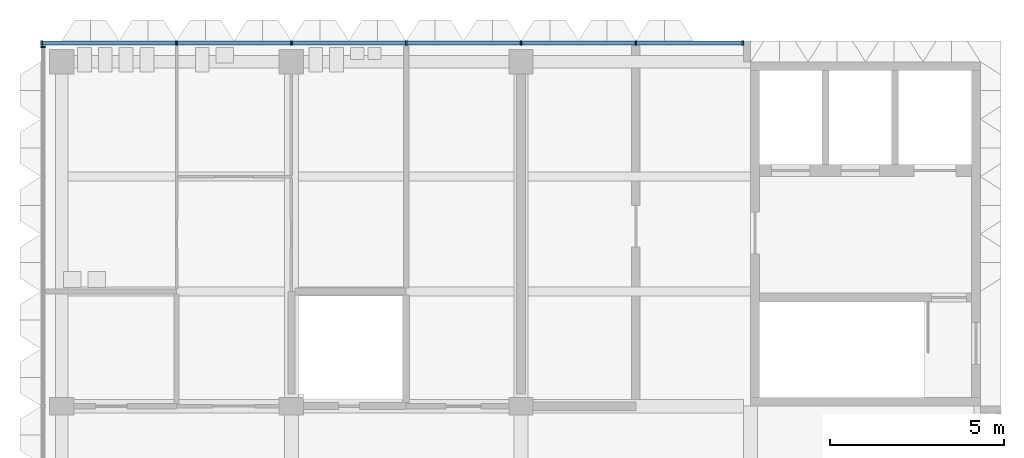
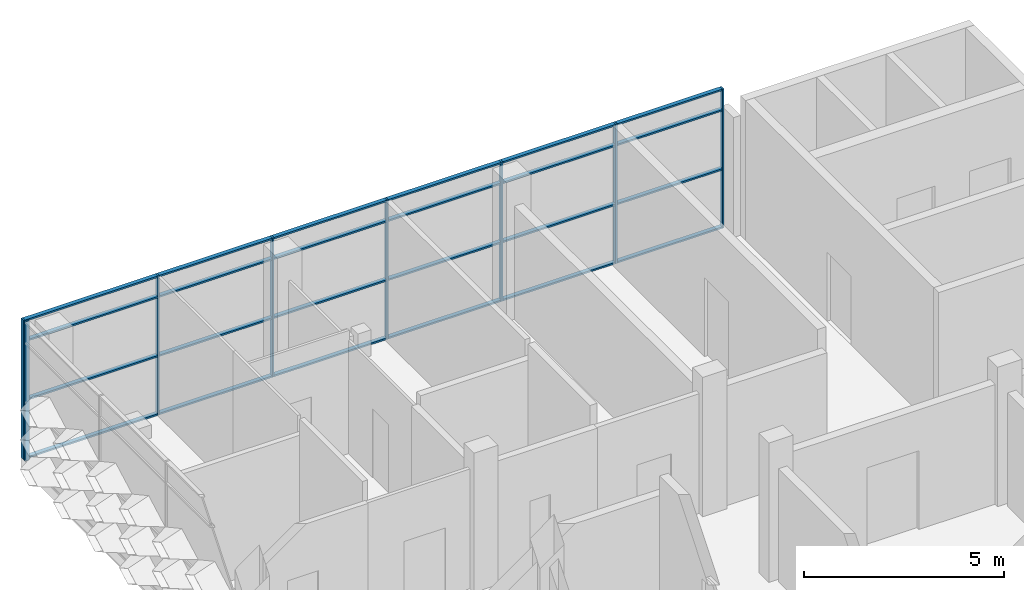
# One storey, part 6 of 21: 32 members, 2 elements without a shape of their own.
"""IFC4 building model written with IfcOpenShell, lengths in metres."""

from ifc_helpers import new_model, si_unit, direction, frame, origin, origin_2d, place, context, subcontext, project, spatial, rectangle, extrude, material, material_profile, profile_set, type_object, element, aggregate, save


model = new_model("IFC4")

# Units and contexts
model_context = context("Model", 3, precision=1e-05, world=origin(), true_north=direction((0.0, 1.0)))
body_context = subcontext(model_context, "Body", "Model", "MODEL_VIEW")
ifc_project = project(units=[si_unit("LENGTHUNIT", "METRE"), si_unit("AREAUNIT", "SQUARE_METRE"), si_unit("VOLUMEUNIT", "CUBIC_METRE"), si_unit("PLANEANGLEUNIT", "RADIAN"), si_unit("MASSUNIT", "GRAM", prefix="KILO")], contexts=[model_context])

# Site, building, storey
site_placement = place(None, origin())
site = spatial("IfcSite", under=ifc_project, at=site_placement, CompositionType="ELEMENT")
building_placement = place(site_placement, origin())
building = spatial("IfcBuilding", under=site, at=building_placement, Name="Lantern Court Research Institute", CompositionType="ELEMENT")
storey_placement = place(building_placement, frame((0.0, 0.0, 41.39990234375)))
storey = spatial("IfcBuildingStorey", under=building, at=storey_placement, Name="L09", CompositionType="ELEMENT", Elevation=41.39990234375)

# Curtain wall, members
ifc_material_1 = material(Name="Aluminium alloy 6063-T6", Category="aluminium")
curtain_wall_type_1 = type_object("IfcCurtainWallType", Name="Curtain wall 20200 x 4250 x 120 aluminium frame", PredefinedType="NOTDEFINED", material=ifc_material_1)
curtain_wall_1_placement = place(storey_placement, origin())
curtain_wall_1 = element("IfcCurtainWall", 1, at=curtain_wall_1_placement, inside=storey, type_object=curtain_wall_type_1, Name="Curtain wall CW090", PredefinedType="NOTDEFINED")
ifc_material_2 = material(Name="Aluminium alloy 6063-T6", Category="aluminium")
ifc_material_profile_1 = material_profile(ifc_material_2, rectangle(XDim=0.1201171875, YDim=0.050048828125, at=origin_2d()), Name="Mullion 120 x 50")
ifc_profile_set_1 = profile_set([ifc_material_profile_1], Name="Aluminium alloy 6063-T6")
member_type_1 = type_object("IfcMemberType", Name="Mullion 120 x 50 aluminium", PredefinedType="MULLION", material=ifc_profile_set_1)
member_1_placement = place(storey_placement, frame((52.22509765625, 23.639892578125, 0.0), z_axis=(0.0, 0.0, 1.0), x_axis=(0.0, 1.0, 0.0)))
member_1 = element("IfcMember", 2, at=member_1_placement, type_object=member_type_1, Name="CW090 mullion 1", PredefinedType="MULLION", context=body_context, shape_type="SweptSolid", body=[
    extrude(rectangle(XDim=0.1201171875, YDim=0.050048828125, at=origin_2d()), origin(), (0.0, 0.0, 1.0), 4.25),
])
member_2_placement = place(storey_placement, frame((56.10009765625, 23.639892578125, 0.0), z_axis=(0.0, 0.0, 1.0), x_axis=(0.0, 1.0, 0.0)))
member_2 = element("IfcMember", 3, at=member_2_placement, type_object=member_type_1, Name="CW090 mullion 2", PredefinedType="MULLION", context=body_context, shape_type="SweptSolid", body=[
    extrude(rectangle(XDim=0.1201171875, YDim=0.050048828125, at=origin_2d()), origin(), (0.0, 0.0, 1.0), 4.25),
])
member_3_placement = place(storey_placement, frame((59.39990234375, 23.639892578125, 0.0), z_axis=(0.0, 0.0, 1.0), x_axis=(0.0, 1.0, 0.0)))
member_3 = element("IfcMember", 4, at=member_3_placement, type_object=member_type_1, Name="CW090 mullion 3", PredefinedType="MULLION", context=body_context, shape_type="SweptSolid", body=[
    extrude(rectangle(XDim=0.1201171875, YDim=0.050048828125, at=origin_2d()), origin(), (0.0, 0.0, 1.0), 4.25),
])
member_4_placement = place(storey_placement, frame((62.699951171875, 23.639892578125, 0.0), z_axis=(0.0, 0.0, 1.0), x_axis=(0.0, 1.0, 0.0)))
member_4 = element("IfcMember", 5, at=member_4_placement, type_object=member_type_1, Name="CW090 mullion 4", PredefinedType="MULLION", context=body_context, shape_type="SweptSolid", body=[
    extrude(rectangle(XDim=0.1201171875, YDim=0.050048828125, at=origin_2d()), origin(), (0.0, 0.0, 1.0), 4.25),
])
member_5_placement = place(storey_placement, frame((66.0, 23.639892578125, 0.0), z_axis=(0.0, 0.0, 1.0), x_axis=(0.0, 1.0, 0.0)))
member_5 = element("IfcMember", 6, at=member_5_placement, type_object=member_type_1, Name="CW090 mullion 5", PredefinedType="MULLION", context=body_context, shape_type="SweptSolid", body=[
    extrude(rectangle(XDim=0.1201171875, YDim=0.050048828125, at=origin_2d()), origin(), (0.0, 0.0, 1.0), 4.25),
])
member_6_placement = place(storey_placement, frame((69.300048828125, 23.639892578125, 0.0), z_axis=(0.0, 0.0, 1.0), x_axis=(0.0, 1.0, 0.0)))
member_6 = element("IfcMember", 7, at=member_6_placement, type_object=member_type_1, Name="CW090 mullion 6", PredefinedType="MULLION", context=body_context, shape_type="SweptSolid", body=[
    extrude(rectangle(XDim=0.1201171875, YDim=0.050048828125, at=origin_2d()), origin(), (0.0, 0.0, 1.0), 4.25),
])
member_7_placement = place(storey_placement, frame((72.375, 23.639892578125, 0.0), z_axis=(0.0, 0.0, 1.0), x_axis=(0.0, 1.0, 0.0)))
member_7 = element("IfcMember", 8, at=member_7_placement, type_object=member_type_1, Name="CW090 mullion 7", PredefinedType="MULLION", context=body_context, shape_type="SweptSolid", body=[
    extrude(rectangle(XDim=0.1201171875, YDim=0.050048828125, at=origin_2d()), origin(), (0.0, 0.0, 1.0), 4.25),
])

# Curtain wall, member
ifc_material_3 = material(Name="Aluminium alloy 6063-T6", Category="aluminium")
curtain_wall_type_2 = type_object("IfcCurtainWallType", Name="Curtain wall 21250 x 4250 x 120 aluminium frame", PredefinedType="NOTDEFINED", material=ifc_material_3)
curtain_wall_2_placement = place(storey_placement, origin())
curtain_wall_2 = element("IfcCurtainWall", 9, at=curtain_wall_2_placement, inside=storey, type_object=curtain_wall_type_2, Name="Curtain wall CW092", PredefinedType="NOTDEFINED")
member_8_placement = place(storey_placement, frame((52.260009765625, 23.52490234375, 0.0), z_axis=(0.0, 0.0, 1.0), x_axis=(-1.0, 0.0, 0.0)))
member_8 = element("IfcMember", 10, at=member_8_placement, type_object=member_type_1, Name="CW092 mullion 8", PredefinedType="MULLION", context=body_context, shape_type="SweptSolid", body=[
    extrude(rectangle(XDim=0.1201171875, YDim=0.050048828125, at=origin_2d()), origin(), (0.0, 0.0, 1.0), 4.25),
])
aggregate(curtain_wall_2, [member_8])

# Member
ifc_material_4 = material(Name="Aluminium alloy 6063-T6", Category="aluminium")
ifc_material_profile_2 = material_profile(ifc_material_4, rectangle(XDim=0.1201171875, YDim=0.050048828125, at=origin_2d()), Name="Transom 120 x 50")
ifc_profile_set_2 = profile_set([ifc_material_profile_2], Name="Aluminium alloy 6063-T6")
member_type_2 = type_object("IfcMemberType", Name="Transom 120 x 50 aluminium", PredefinedType="USERDEFINED", material=ifc_profile_set_2)
member_9_placement = place(storey_placement, frame((52.25, 23.639892578125, 0.025146484375), z_axis=(1.0, 0.0, 0.0), x_axis=(0.0, 1.0, 0.0)))
member_9 = element("IfcMember", 11, at=member_9_placement, type_object=member_type_2, Name="CW090 transom 1.1", ObjectType="TRANSOM", PredefinedType="USERDEFINED", context=body_context, shape_type="SweptSolid", body=[
    extrude(rectangle(XDim=0.1201171875, YDim=0.050048828125, at=origin_2d()), origin(), (0.0, 0.0, 1.0), 3.824951171875),
])

member_10_placement = place(storey_placement, frame((52.25, 23.639892578125, 1.800048828125), z_axis=(1.0, 0.0, 0.0), x_axis=(0.0, 1.0, 0.0)))
member_10 = element("IfcMember", 12, at=member_10_placement, type_object=member_type_2, Name="CW090 transom 1.2", ObjectType="TRANSOM", PredefinedType="USERDEFINED", context=body_context, shape_type="SweptSolid", body=[
    extrude(rectangle(XDim=0.1201171875, YDim=0.050048828125, at=origin_2d()), origin(), (0.0, 0.0, 1.0), 3.824951171875),
])

member_11_placement = place(storey_placement, frame((52.25, 23.639892578125, 3.60009765625), z_axis=(1.0, 0.0, 0.0), x_axis=(0.0, 1.0, 0.0)))
member_11 = element("IfcMember", 13, at=member_11_placement, type_object=member_type_2, Name="CW090 transom 1.3", ObjectType="TRANSOM", PredefinedType="USERDEFINED", context=body_context, shape_type="SweptSolid", body=[
    extrude(rectangle(XDim=0.1201171875, YDim=0.050048828125, at=origin_2d()), origin(), (0.0, 0.0, 1.0), 3.824951171875),
])

member_12_placement = place(storey_placement, frame((52.25, 23.639892578125, 4.22509765625), z_axis=(1.0, 0.0, 0.0), x_axis=(0.0, 1.0, 0.0)))
member_12 = element("IfcMember", 14, at=member_12_placement, type_object=member_type_2, Name="CW090 transom 1.4", ObjectType="TRANSOM", PredefinedType="USERDEFINED", context=body_context, shape_type="SweptSolid", body=[
    extrude(rectangle(XDim=0.1201171875, YDim=0.050048828125, at=origin_2d()), origin(), (0.0, 0.0, 1.0), 3.824951171875),
])

member_13_placement = place(storey_placement, frame((56.125, 23.639892578125, 0.025146484375), z_axis=(1.0, 0.0, 0.0), x_axis=(0.0, 1.0, 0.0)))
member_13 = element("IfcMember", 15, at=member_13_placement, type_object=member_type_2, Name="CW090 transom 2.1", ObjectType="TRANSOM", PredefinedType="USERDEFINED", context=body_context, shape_type="SweptSolid", body=[
    extrude(rectangle(XDim=0.1201171875, YDim=0.050048828125, at=origin_2d()), origin(), (0.0, 0.0, 1.0), 3.25),
])

member_14_placement = place(storey_placement, frame((56.125, 23.639892578125, 1.800048828125), z_axis=(1.0, 0.0, 0.0), x_axis=(0.0, 1.0, 0.0)))
member_14 = element("IfcMember", 16, at=member_14_placement, type_object=member_type_2, Name="CW090 transom 2.2", ObjectType="TRANSOM", PredefinedType="USERDEFINED", context=body_context, shape_type="SweptSolid", body=[
    extrude(rectangle(XDim=0.1201171875, YDim=0.050048828125, at=origin_2d()), origin(), (0.0, 0.0, 1.0), 3.25),
])

member_15_placement = place(storey_placement, frame((56.125, 23.639892578125, 3.60009765625), z_axis=(1.0, 0.0, 0.0), x_axis=(0.0, 1.0, 0.0)))
member_15 = element("IfcMember", 17, at=member_15_placement, type_object=member_type_2, Name="CW090 transom 2.3", ObjectType="TRANSOM", PredefinedType="USERDEFINED", context=body_context, shape_type="SweptSolid", body=[
    extrude(rectangle(XDim=0.1201171875, YDim=0.050048828125, at=origin_2d()), origin(), (0.0, 0.0, 1.0), 3.25),
])

member_16_placement = place(storey_placement, frame((56.125, 23.639892578125, 4.22509765625), z_axis=(1.0, 0.0, 0.0), x_axis=(0.0, 1.0, 0.0)))
member_16 = element("IfcMember", 18, at=member_16_placement, type_object=member_type_2, Name="CW090 transom 2.4", ObjectType="TRANSOM", PredefinedType="USERDEFINED", context=body_context, shape_type="SweptSolid", body=[
    extrude(rectangle(XDim=0.1201171875, YDim=0.050048828125, at=origin_2d()), origin(), (0.0, 0.0, 1.0), 3.25),
])

member_17_placement = place(storey_placement, frame((59.425048828125, 23.639892578125, 0.025146484375), z_axis=(1.0, 0.0, 0.0), x_axis=(0.0, 1.0, 0.0)))
member_17 = element("IfcMember", 19, at=member_17_placement, type_object=member_type_2, Name="CW090 transom 3.1", ObjectType="TRANSOM", PredefinedType="USERDEFINED", context=body_context, shape_type="SweptSolid", body=[
    extrude(rectangle(XDim=0.1201171875, YDim=0.050048828125, at=origin_2d()), origin(), (0.0, 0.0, 1.0), 3.25),
])

member_18_placement = place(storey_placement, frame((59.425048828125, 23.639892578125, 1.800048828125), z_axis=(1.0, 0.0, 0.0), x_axis=(0.0, 1.0, 0.0)))
member_18 = element("IfcMember", 20, at=member_18_placement, type_object=member_type_2, Name="CW090 transom 3.2", ObjectType="TRANSOM", PredefinedType="USERDEFINED", context=body_context, shape_type="SweptSolid", body=[
    extrude(rectangle(XDim=0.1201171875, YDim=0.050048828125, at=origin_2d()), origin(), (0.0, 0.0, 1.0), 3.25),
])

member_19_placement = place(storey_placement, frame((59.425048828125, 23.639892578125, 3.60009765625), z_axis=(1.0, 0.0, 0.0), x_axis=(0.0, 1.0, 0.0)))
member_19 = element("IfcMember", 21, at=member_19_placement, type_object=member_type_2, Name="CW090 transom 3.3", ObjectType="TRANSOM", PredefinedType="USERDEFINED", context=body_context, shape_type="SweptSolid", body=[
    extrude(rectangle(XDim=0.1201171875, YDim=0.050048828125, at=origin_2d()), origin(), (0.0, 0.0, 1.0), 3.25),
])

member_20_placement = place(storey_placement, frame((59.425048828125, 23.639892578125, 4.22509765625), z_axis=(1.0, 0.0, 0.0), x_axis=(0.0, 1.0, 0.0)))
member_20 = element("IfcMember", 22, at=member_20_placement, type_object=member_type_2, Name="CW090 transom 3.4", ObjectType="TRANSOM", PredefinedType="USERDEFINED", context=body_context, shape_type="SweptSolid", body=[
    extrude(rectangle(XDim=0.1201171875, YDim=0.050048828125, at=origin_2d()), origin(), (0.0, 0.0, 1.0), 3.25),
])

member_21_placement = place(storey_placement, frame((62.72509765625, 23.639892578125, 0.025146484375), z_axis=(1.0, 0.0, 0.0), x_axis=(0.0, 1.0, 0.0)))
member_21 = element("IfcMember", 23, at=member_21_placement, type_object=member_type_2, Name="CW090 transom 4.1", ObjectType="TRANSOM", PredefinedType="USERDEFINED", context=body_context, shape_type="SweptSolid", body=[
    extrude(rectangle(XDim=0.1201171875, YDim=0.050048828125, at=origin_2d()), origin(), (0.0, 0.0, 1.0), 3.25),
])

member_22_placement = place(storey_placement, frame((62.72509765625, 23.639892578125, 1.800048828125), z_axis=(1.0, 0.0, 0.0), x_axis=(0.0, 1.0, 0.0)))
member_22 = element("IfcMember", 24, at=member_22_placement, type_object=member_type_2, Name="CW090 transom 4.2", ObjectType="TRANSOM", PredefinedType="USERDEFINED", context=body_context, shape_type="SweptSolid", body=[
    extrude(rectangle(XDim=0.1201171875, YDim=0.050048828125, at=origin_2d()), origin(), (0.0, 0.0, 1.0), 3.25),
])

member_23_placement = place(storey_placement, frame((62.72509765625, 23.639892578125, 3.60009765625), z_axis=(1.0, 0.0, 0.0), x_axis=(0.0, 1.0, 0.0)))
member_23 = element("IfcMember", 25, at=member_23_placement, type_object=member_type_2, Name="CW090 transom 4.3", ObjectType="TRANSOM", PredefinedType="USERDEFINED", context=body_context, shape_type="SweptSolid", body=[
    extrude(rectangle(XDim=0.1201171875, YDim=0.050048828125, at=origin_2d()), origin(), (0.0, 0.0, 1.0), 3.25),
])

member_24_placement = place(storey_placement, frame((62.72509765625, 23.639892578125, 4.22509765625), z_axis=(1.0, 0.0, 0.0), x_axis=(0.0, 1.0, 0.0)))
member_24 = element("IfcMember", 26, at=member_24_placement, type_object=member_type_2, Name="CW090 transom 4.4", ObjectType="TRANSOM", PredefinedType="USERDEFINED", context=body_context, shape_type="SweptSolid", body=[
    extrude(rectangle(XDim=0.1201171875, YDim=0.050048828125, at=origin_2d()), origin(), (0.0, 0.0, 1.0), 3.25),
])

member_25_placement = place(storey_placement, frame((66.02490234375, 23.639892578125, 0.025146484375), z_axis=(1.0, 0.0, 0.0), x_axis=(0.0, 1.0, 0.0)))
member_25 = element("IfcMember", 27, at=member_25_placement, type_object=member_type_2, Name="CW090 transom 5.1", ObjectType="TRANSOM", PredefinedType="USERDEFINED", context=body_context, shape_type="SweptSolid", body=[
    extrude(rectangle(XDim=0.1201171875, YDim=0.050048828125, at=origin_2d()), origin(), (0.0, 0.0, 1.0), 3.25),
])

member_26_placement = place(storey_placement, frame((66.02490234375, 23.639892578125, 1.800048828125), z_axis=(1.0, 0.0, 0.0), x_axis=(0.0, 1.0, 0.0)))
member_26 = element("IfcMember", 28, at=member_26_placement, type_object=member_type_2, Name="CW090 transom 5.2", ObjectType="TRANSOM", PredefinedType="USERDEFINED", context=body_context, shape_type="SweptSolid", body=[
    extrude(rectangle(XDim=0.1201171875, YDim=0.050048828125, at=origin_2d()), origin(), (0.0, 0.0, 1.0), 3.25),
])

member_27_placement = place(storey_placement, frame((66.02490234375, 23.639892578125, 3.60009765625), z_axis=(1.0, 0.0, 0.0), x_axis=(0.0, 1.0, 0.0)))
member_27 = element("IfcMember", 29, at=member_27_placement, type_object=member_type_2, Name="CW090 transom 5.3", ObjectType="TRANSOM", PredefinedType="USERDEFINED", context=body_context, shape_type="SweptSolid", body=[
    extrude(rectangle(XDim=0.1201171875, YDim=0.050048828125, at=origin_2d()), origin(), (0.0, 0.0, 1.0), 3.25),
])

member_28_placement = place(storey_placement, frame((66.02490234375, 23.639892578125, 4.22509765625), z_axis=(1.0, 0.0, 0.0), x_axis=(0.0, 1.0, 0.0)))
member_28 = element("IfcMember", 30, at=member_28_placement, type_object=member_type_2, Name="CW090 transom 5.4", ObjectType="TRANSOM", PredefinedType="USERDEFINED", context=body_context, shape_type="SweptSolid", body=[
    extrude(rectangle(XDim=0.1201171875, YDim=0.050048828125, at=origin_2d()), origin(), (0.0, 0.0, 1.0), 3.25),
])

member_29_placement = place(storey_placement, frame((69.324951171875, 23.639892578125, 0.025146484375), z_axis=(1.0, 0.0, 0.0), x_axis=(0.0, 1.0, 0.0)))
member_29 = element("IfcMember", 31, at=member_29_placement, type_object=member_type_2, Name="CW090 transom 6.1", ObjectType="TRANSOM", PredefinedType="USERDEFINED", context=body_context, shape_type="SweptSolid", body=[
    extrude(rectangle(XDim=0.1201171875, YDim=0.050048828125, at=origin_2d()), origin(), (0.0, 0.0, 1.0), 3.025146484375),
])

member_30_placement = place(storey_placement, frame((69.324951171875, 23.639892578125, 1.800048828125), z_axis=(1.0, 0.0, 0.0), x_axis=(0.0, 1.0, 0.0)))
member_30 = element("IfcMember", 32, at=member_30_placement, type_object=member_type_2, Name="CW090 transom 6.2", ObjectType="TRANSOM", PredefinedType="USERDEFINED", context=body_context, shape_type="SweptSolid", body=[
    extrude(rectangle(XDim=0.1201171875, YDim=0.050048828125, at=origin_2d()), origin(), (0.0, 0.0, 1.0), 3.025146484375),
])

member_31_placement = place(storey_placement, frame((69.324951171875, 23.639892578125, 3.60009765625), z_axis=(1.0, 0.0, 0.0), x_axis=(0.0, 1.0, 0.0)))
member_31 = element("IfcMember", 33, at=member_31_placement, type_object=member_type_2, Name="CW090 transom 6.3", ObjectType="TRANSOM", PredefinedType="USERDEFINED", context=body_context, shape_type="SweptSolid", body=[
    extrude(rectangle(XDim=0.1201171875, YDim=0.050048828125, at=origin_2d()), origin(), (0.0, 0.0, 1.0), 3.025146484375),
])

member_32_placement = place(storey_placement, frame((69.324951171875, 23.639892578125, 4.22509765625), z_axis=(1.0, 0.0, 0.0), x_axis=(0.0, 1.0, 0.0)))
member_32 = element("IfcMember", 34, at=member_32_placement, type_object=member_type_2, Name="CW090 transom 6.4", ObjectType="TRANSOM", PredefinedType="USERDEFINED", context=body_context, shape_type="SweptSolid", body=[
    extrude(rectangle(XDim=0.1201171875, YDim=0.050048828125, at=origin_2d()), origin(), (0.0, 0.0, 1.0), 3.025146484375),
])

aggregate(curtain_wall_1, [member_1, member_2, member_3, member_4, member_5, member_6, member_7, member_9, member_10, member_11, member_12, member_13, member_14, member_15, member_16, member_17, member_18, member_19, member_20, member_21, member_22, member_23, member_24, member_25, member_26, member_27, member_28, member_29, member_30, member_31, member_32])

save(model, "model.ifc")
